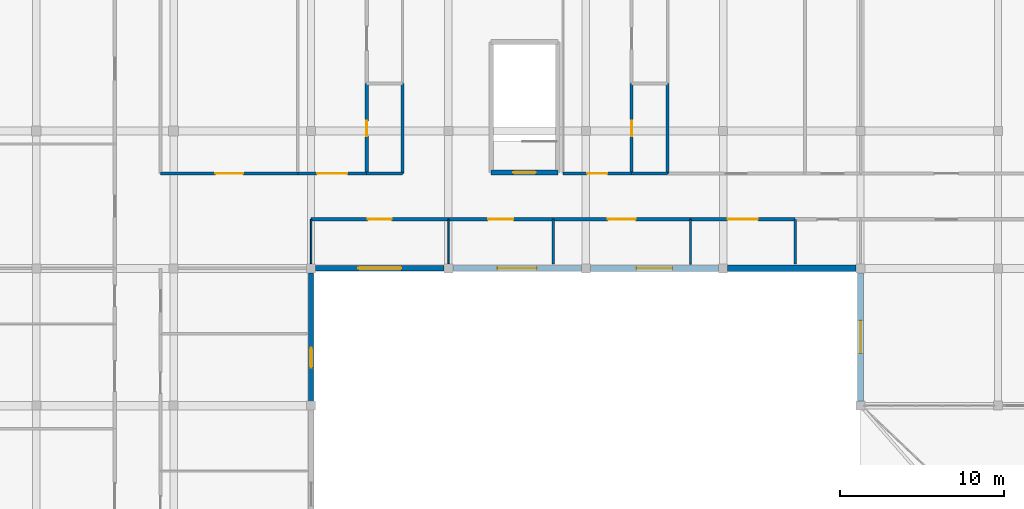
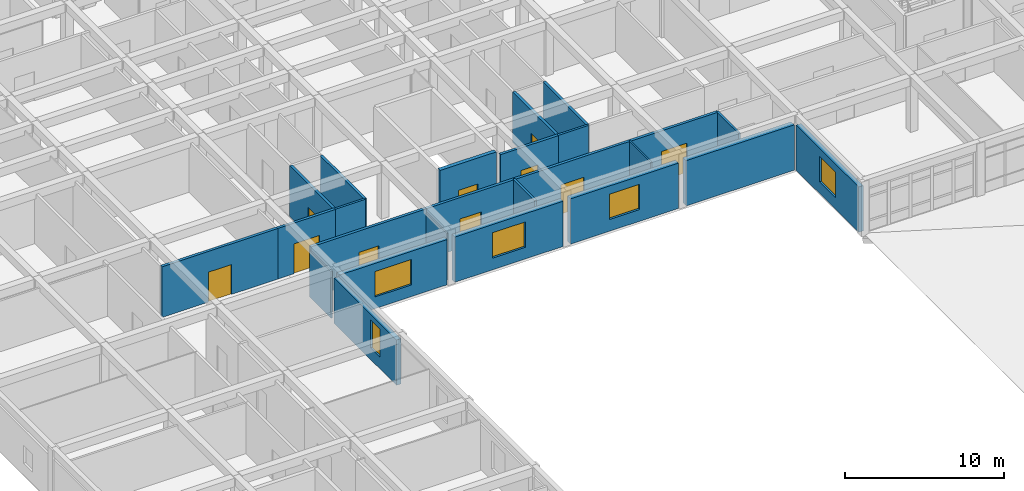
# One storey, part 46 of 77: 25 walls, 10 doors, 5 windows, 15 openings.
"""IFC4 building model written with IfcOpenShell, lengths in metres."""

from ifc_helpers import new_model, si_unit, direction, frame, frame_2d, origin, place, context, subcontext, project, spatial, rectangle, extrude, material, layer, layer_set, type_object, element, fill, save


model = new_model("IFC4")

# Units and contexts
model_context = context("Model", 3, precision=1e-05, world=origin(), true_north=direction((0.0, 1.0)))
body_context = subcontext(model_context, "Body", "Model", "MODEL_VIEW")
ifc_project = project(units=[si_unit("LENGTHUNIT", "METRE"), si_unit("AREAUNIT", "SQUARE_METRE"), si_unit("VOLUMEUNIT", "CUBIC_METRE"), si_unit("PLANEANGLEUNIT", "RADIAN"), si_unit("MASSUNIT", "GRAM", prefix="KILO")], contexts=[model_context])

# Site, building, storey
site_placement = place(None, origin())
site = spatial("IfcSite", under=ifc_project, at=site_placement, CompositionType="ELEMENT")
building_placement = place(site_placement, origin())
building = spatial("IfcBuilding", under=site, at=building_placement, Name="Varncliffe General Hospital", CompositionType="ELEMENT")
storey_placement = place(building_placement, frame((0.0, 0.0, 16.199951171875)))
storey = spatial("IfcBuildingStorey", under=building, at=storey_placement, Name="L03", CompositionType="ELEMENT", Elevation=16.199951171875)

# Wall, opening, window
ifc_material_1 = material(Name="Precast concrete C40/50 with insulated cream lime-cement stucco", Category="concrete")
ifc_layer_1 = layer(ifc_material_1, 0.31005859375)
ifc_layer_set_1 = layer_set([ifc_layer_1], Name="Precast concrete C40/50 with insulated cream lime-cement stucco")
wall_type_1 = type_object("IfcWallType", Name="Exterior Insulated Stucco Wall EW20 (310mm)", PredefinedType="SOLIDWALL", material=ifc_layer_set_1)
wall_1_placement = place(storey_placement, frame((25.199951171875, 82.527099609375, 0.0), z_axis=(0.0, 0.0, 1.0), x_axis=(0.0, -1.0, 0.0)))
wall_1 = element("IfcWall", 1, at=wall_1_placement, inside=storey, type_object=wall_type_1, Name="L03 Exterior Stucco Wall EW20-290", PredefinedType="SOLIDWALL", context=body_context, shape_type="SweptSolid", body=[
    extrude(rectangle(XDim=7.85400390625, YDim=0.31005859375, at=frame_2d((3.927001953125, 0.0))), origin(), (0.0, 0.0, 1.0), 3.47998046875),
])
opening_1_placement = place(wall_1_placement, frame((4.593017578125, 0.0, 0.89990234375)))
opening_1 = element("IfcOpeningElement", 2, at=opening_1_placement, cuts=wall_1, Name="Opening WN36", PredefinedType="OPENING", context=body_context, shape_type="SweptSolid", body=[
    extrude(rectangle(XDim=1.199951171875, YDim=2.14990234375, at=frame_2d((0.60009765625, 1.074951171875))), frame((0.0, 0.1650390625, 0.0), z_axis=(0.0, -1.0, 0.0), x_axis=(1.0, 0.0, 0.0)), (0.0, 0.0, 1.0), 0.330078125),
])
ifc_material_2 = material(Name="Triple low-E argon insulated vision glazing", Category="glass")
window_type_1 = type_object("IfcWindowType", Name="Triple-Glazed Hospital Window WN36 (1200x2150)", PartitioningType="SINGLE_PANEL", PredefinedType="WINDOW", material=ifc_material_2)
window_1_placement = place(opening_1_placement, origin())
window_1 = element("IfcWindow", 3, at=window_1_placement, inside=storey, type_object=window_type_1, Name="L03 Hospital Window WN36-209", OverallHeight=2.14990234375, OverallWidth=1.199951171875, PartitioningType="SINGLE_PANEL", PredefinedType="WINDOW", context=body_context, shape_type="SweptSolid", body=[
    extrude(rectangle(XDim=1.199951171875, YDim=2.14990234375, at=frame_2d((0.60009765625, 1.074951171875))), frame((0.0, 0.030029296875, 0.0), z_axis=(0.0, -1.0, 0.0), x_axis=(1.0, 0.0, 0.0)), (0.0, 0.0, 1.0), 0.06005859375),
])
fill(opening_1, window_1)

ifc_layer_2 = layer(ifc_material_1, 0.3798828125)
ifc_layer_set_2 = layer_set([ifc_layer_2], Name="Precast concrete C40/50 with insulated cream lime-cement stucco")
wall_type_2 = type_object("IfcWallType", Name="Exterior Insulated Stucco Wall EW26 (380mm)", PredefinedType="SOLIDWALL", material=ifc_layer_set_2)
wall_2_placement = place(storey_placement, frame((50.126953125, 82.800048828125, 0.0), z_axis=(0.0, 0.0, 1.0), x_axis=(-1.0, 0.0, 0.0)))
wall_2 = element("IfcWall", 4, at=wall_2_placement, inside=storey, type_object=wall_type_2, Name="L03 Exterior Stucco Wall EW26-287", PredefinedType="SOLIDWALL", context=body_context, shape_type="SweptSolid", body=[
    extrude(rectangle(XDim=7.85400390625, YDim=0.3798828125, at=frame_2d((3.927001953125, 0.0))), origin(), (0.0, 0.0, 1.0), 3.47998046875),
])
opening_2_placement = place(wall_2_placement, frame((2.826904296875, 0.0, 0.89990234375)))
opening_2 = element("IfcOpeningElement", 5, at=opening_2_placement, cuts=wall_2, Name="Opening WN35", PredefinedType="OPENING", context=body_context, shape_type="SweptSolid", body=[
    extrude(rectangle(XDim=2.199951171875, YDim=1.949951171875, at=frame_2d((1.10009765625, 0.97509765625))), frame((0.0, 0.199951171875, 0.0), z_axis=(0.0, -1.0, 0.0), x_axis=(1.0, 0.0, 0.0)), (0.0, 0.0, 1.0), 0.39990234375),
])
window_type_2 = type_object("IfcWindowType", Name="Triple-Glazed Hospital Window WN35 (2200x1950)", PartitioningType="DOUBLE_PANEL_VERTICAL", PredefinedType="WINDOW", material=ifc_material_2)
window_2_placement = place(opening_2_placement, origin())
window_2 = element("IfcWindow", 6, at=window_2_placement, inside=storey, type_object=window_type_2, Name="L03 Hospital Window WN35-206", OverallHeight=1.949951171875, OverallWidth=2.199951171875, PartitioningType="DOUBLE_PANEL_VERTICAL", PredefinedType="WINDOW", context=body_context, shape_type="SweptSolid", body=[
    extrude(rectangle(XDim=2.199951171875, YDim=1.949951171875, at=frame_2d((1.10009765625, 0.97509765625))), frame((0.0, 0.030029296875, 0.0), z_axis=(0.0, -1.0, 0.0), x_axis=(1.0, 0.0, 0.0)), (0.0, 0.0, 1.0), 0.06005859375),
])
fill(opening_2, window_2)

ifc_layer_3 = layer(ifc_material_1, 0.330078125)
ifc_layer_set_3 = layer_set([ifc_layer_3], Name="Precast concrete C40/50 with insulated cream lime-cement stucco")
wall_type_3 = type_object("IfcWallType", Name="Exterior Insulated Stucco Wall EW33 (330mm)", PredefinedType="SOLIDWALL", material=ifc_layer_set_3)
wall_3_placement = place(storey_placement, frame((33.326904296875, 82.800048828125, 0.0), z_axis=(0.0, 0.0, 1.0), x_axis=(-1.0, 0.0, 0.0)))
wall_3 = element("IfcWall", 7, at=wall_3_placement, inside=storey, type_object=wall_type_3, Name="L03 Exterior Stucco Wall EW33-289", PredefinedType="SOLIDWALL", context=body_context, shape_type="SweptSolid", body=[
    extrude(rectangle(XDim=7.85400390625, YDim=0.330078125, at=frame_2d((3.927001953125, 0.0))), origin(), (0.0, 0.0, 1.0), 3.47998046875),
])
opening_3_placement = place(wall_3_placement, frame((2.60205078125, 0.0, 0.89990234375)))
opening_3 = element("IfcOpeningElement", 8, at=opening_3_placement, cuts=wall_3, Name="Opening WN30", PredefinedType="OPENING", context=body_context, shape_type="SweptSolid", body=[
    extrude(rectangle(XDim=2.64990234375, YDim=1.949951171875, at=frame_2d((1.324951171875, 0.97509765625))), frame((0.0, 0.175048828125, 0.0), z_axis=(0.0, -1.0, 0.0), x_axis=(1.0, 0.0, 0.0)), (0.0, 0.0, 1.0), 0.35009765625),
])
window_type_3 = type_object("IfcWindowType", Name="Triple-Glazed Hospital Window WN30 (2650x1950)", PartitioningType="DOUBLE_PANEL_VERTICAL", PredefinedType="WINDOW", material=ifc_material_2)
window_3_placement = place(opening_3_placement, origin())
window_3 = element("IfcWindow", 9, at=window_3_placement, inside=storey, type_object=window_type_3, Name="L03 Hospital Window WN30-208", OverallHeight=1.949951171875, OverallWidth=2.64990234375, PartitioningType="DOUBLE_PANEL_VERTICAL", PredefinedType="WINDOW", context=body_context, shape_type="SweptSolid", body=[
    extrude(rectangle(XDim=2.64990234375, YDim=1.949951171875, at=frame_2d((1.324951171875, 0.97509765625))), frame((0.0, 0.030029296875, 0.0), z_axis=(0.0, -1.0, 0.0), x_axis=(1.0, 0.0, 0.0)), (0.0, 0.0, 1.0), 0.06005859375),
])
fill(opening_3, window_3)

ifc_layer_4 = layer(ifc_material_1, 0.35009765625)
ifc_layer_set_4 = layer_set([ifc_layer_4], Name="Precast concrete C40/50 with insulated cream lime-cement stucco")
wall_type_4 = type_object("IfcWallType", Name="Exterior Insulated Stucco Wall EW37 (350mm)", PredefinedType="SOLIDWALL", material=ifc_layer_set_4)
wall_4_placement = place(storey_placement, frame((58.800048828125, 74.673095703125, 0.0), z_axis=(0.0, 0.0, 1.0), x_axis=(0.0, 1.0, 0.0)))
wall_4 = element("IfcWall", 10, at=wall_4_placement, inside=storey, type_object=wall_type_4, Name="L03 Exterior Stucco Wall EW37-285", PredefinedType="SOLIDWALL", context=body_context, shape_type="SweptSolid", body=[
    extrude(rectangle(XDim=7.85400390625, YDim=0.35009765625, at=frame_2d((3.927001953125, 0.0))), origin(), (0.0, 0.0, 1.0), 3.47998046875),
])
opening_4_placement = place(wall_4_placement, frame((2.927001953125, 0.0, 0.89990234375)))
opening_4 = element("IfcOpeningElement", 11, at=opening_4_placement, cuts=wall_4, Name="Opening WN79", PredefinedType="OPENING", context=body_context, shape_type="SweptSolid", body=[
    extrude(rectangle(XDim=2.0, YDim=1.949951171875, at=frame_2d((1.0, 0.97509765625))), frame((0.0, 0.18505859375, 0.0), z_axis=(0.0, -1.0, 0.0), x_axis=(1.0, 0.0, 0.0)), (0.0, 0.0, 1.0), 0.3701171875),
])
window_type_4 = type_object("IfcWindowType", Name="Triple-Glazed Hospital Window WN79 (2000x1950)", PartitioningType="DOUBLE_PANEL_VERTICAL", PredefinedType="WINDOW", material=ifc_material_2)
window_4_placement = place(opening_4_placement, origin())
window_4 = element("IfcWindow", 12, at=window_4_placement, inside=storey, type_object=window_type_4, Name="L03 Hospital Window WN79-205", OverallHeight=1.949951171875, OverallWidth=2.0, PartitioningType="DOUBLE_PANEL_VERTICAL", PredefinedType="WINDOW", context=body_context, shape_type="SweptSolid", body=[
    extrude(rectangle(XDim=2.0, YDim=1.949951171875, at=frame_2d((1.0, 0.97509765625))), frame((0.0, 0.030029296875, 0.0), z_axis=(0.0, -1.0, 0.0), x_axis=(1.0, 0.0, 0.0)), (0.0, 0.0, 1.0), 0.06005859375),
])
fill(opening_4, window_4)

wall_5_placement = place(storey_placement, frame((41.72705078125, 82.800048828125, 0.0), z_axis=(0.0, 0.0, 1.0), x_axis=(-1.0, 0.0, 0.0)))
wall_5 = element("IfcWall", 13, at=wall_5_placement, inside=storey, type_object=wall_type_4, Name="L03 Exterior Stucco Wall EW37-288", PredefinedType="SOLIDWALL", context=body_context, shape_type="SweptSolid", body=[
    extrude(rectangle(XDim=7.85400390625, YDim=0.35009765625, at=frame_2d((3.927001953125, 0.0))), origin(), (0.0, 0.0, 1.0), 3.47998046875),
])
opening_5_placement = place(wall_5_placement, frame((2.72705078125, 0.0, 0.89990234375)))
opening_5 = element("IfcOpeningElement", 14, at=opening_5_placement, cuts=wall_5, Name="Opening WN16", PredefinedType="OPENING", context=body_context, shape_type="SweptSolid", body=[
    extrude(rectangle(XDim=2.39990234375, YDim=1.949951171875, at=frame_2d((1.199951171875, 0.97509765625))), frame((0.0, 0.18505859375, 0.0), z_axis=(0.0, -1.0, 0.0), x_axis=(1.0, 0.0, 0.0)), (0.0, 0.0, 1.0), 0.3701171875),
])
window_type_5 = type_object("IfcWindowType", Name="Triple-Glazed Hospital Window WN16 (2400x1950)", PartitioningType="DOUBLE_PANEL_VERTICAL", PredefinedType="WINDOW", material=ifc_material_2)
window_5_placement = place(opening_5_placement, origin())
window_5 = element("IfcWindow", 15, at=window_5_placement, inside=storey, type_object=window_type_5, Name="L03 Hospital Window WN16-207", OverallHeight=1.949951171875, OverallWidth=2.39990234375, PartitioningType="DOUBLE_PANEL_VERTICAL", PredefinedType="WINDOW", context=body_context, shape_type="SweptSolid", body=[
    extrude(rectangle(XDim=2.39990234375, YDim=1.949951171875, at=frame_2d((1.199951171875, 0.97509765625))), frame((0.0, 0.030029296875, 0.0), z_axis=(0.0, -1.0, 0.0), x_axis=(1.0, 0.0, 0.0)), (0.0, 0.0, 1.0), 0.06005859375),
])
fill(opening_5, window_5)

# Walls
ifc_layer_5 = layer(ifc_material_1, 0.39990234375)
ifc_layer_set_5 = layer_set([ifc_layer_5], Name="Precast concrete C40/50 with insulated cream lime-cement stucco")
wall_type_5 = type_object("IfcWallType", Name="Exterior Insulated Stucco Wall EW47 (400mm)", PredefinedType="SOLIDWALL", material=ifc_layer_set_5)
wall_6_placement = place(storey_placement, frame((58.527099609375, 82.800048828125, 0.0), z_axis=(0.0, 0.0, 1.0), x_axis=(-1.0, 0.0, 0.0)))
element("IfcWall", 16, at=wall_6_placement, inside=storey, type_object=wall_type_5, Name="L03 Exterior Stucco Wall EW47-286", PredefinedType="SOLIDWALL", context=body_context, shape_type="SweptSolid", body=[
    extrude(rectangle(XDim=7.85400390625, YDim=0.39990234375, at=frame_2d((3.927001953125, 0.0))), origin(), (0.0, 0.0, 1.0), 3.47998046875),
])
ifc_material_3 = material(Name="Acoustic clinical gypsum stud partition assembly", Category="gypsum")
ifc_layer_6 = layer(ifc_material_3, 0.14990234375)
ifc_layer_set_6 = layer_set([ifc_layer_6], Name="Acoustic clinical gypsum stud partition assembly")
wall_type_6 = type_object("IfcWallType", Name="Interior Partitioning IW35 (150mm)", PredefinedType="PARTITIONING", material=ifc_layer_set_6)
for number, where, z_axis, x_axis, name in (
    (17, (40.0, 83.06005859375, 0.0), (0.0, 0.0, 1.0), (0.0, 1.0, 0.0), "L03 Interior Partition Wall IW35-1549"),
    (18, (54.800048828125, 83.06005859375, 0.0), (0.0, 0.0, 1.0), (0.0, 1.0, 0.0), "L03 Interior Partition Wall IW35-1564"),
):
    element("IfcWall", number, at=place(storey_placement, frame(where, z_axis=z_axis, x_axis=x_axis)), inside=storey, type_object=wall_type_6, Name=name, PredefinedType="PARTITIONING", context=body_context, shape_type="SweptSolid", body=[
        extrude(rectangle(XDim=2.739990234375, YDim=0.14990234375, at=frame_2d((1.3701171875, 0.0))), origin(), (0.0, 0.0, 1.0), 3.89013671875),
    ])
ifc_layer_7 = layer(ifc_material_3, 0.090087890625)
ifc_layer_set_7 = layer_set([ifc_layer_7], Name="Acoustic clinical gypsum stud partition assembly")
wall_type_7 = type_object("IfcWallType", Name="Interior Partitioning IW42 (90mm)", PredefinedType="PARTITIONING", material=ifc_layer_set_7)
for number, where, z_axis, x_axis, name in (
    (19, (25.199951171875, 83.090087890625, 0.0), (0.0, 0.0, 1.0), (0.0, 1.0, 0.0), "L03 Interior Partition Wall IW42-1536"),
    (20, (33.60009765625, 83.090087890625, 0.0), (0.0, 0.0, 1.0), (0.0, 1.0, 0.0), "L03 Interior Partition Wall IW42-1546"),
):
    element("IfcWall", number, at=place(storey_placement, frame(where, z_axis=z_axis, x_axis=x_axis)), inside=storey, type_object=wall_type_7, Name=name, PredefinedType="PARTITIONING", context=body_context, shape_type="SweptSolid", body=[
        extrude(rectangle(XDim=2.7099609375, YDim=0.090087890625, at=frame_2d((1.35498046875, 0.0))), origin(), (0.0, 0.0, 1.0), 3.5849609375),
    ])
ifc_layer_8 = layer(ifc_material_3, 0.110107421875)
ifc_layer_set_8 = layer_set([ifc_layer_8], Name="Acoustic clinical gypsum stud partition assembly")
wall_type_8 = type_object("IfcWallType", Name="Interior Partitioning IW65 (110mm)", PredefinedType="PARTITIONING", material=ifc_layer_set_8)
wall_7_placement = place(storey_placement, frame((48.39990234375, 83.06005859375, 0.0), z_axis=(0.0, 0.0, 1.0), x_axis=(0.0, 1.0, 0.0)))
element("IfcWall", 21, at=wall_7_placement, inside=storey, type_object=wall_type_8, Name="L03 Interior Partition Wall IW65-1562", PredefinedType="PARTITIONING", context=body_context, shape_type="SweptSolid", body=[
    extrude(rectangle(XDim=2.739990234375, YDim=0.110107421875, at=frame_2d((1.3701171875, 0.0))), origin(), (0.0, 0.0, 1.0), 3.89013671875),
])

# Wall, opening, door
ifc_material_4 = material(Name="Fire-rated gypsum and mineral-wool partition assembly", Category="gypsum")
ifc_layer_9 = layer(ifc_material_4, 0.199951171875)
ifc_layer_set_9 = layer_set([ifc_layer_9], Name="Fire-rated gypsum and mineral-wool partition assembly")
wall_type_9 = type_object("IfcWallType", Name="Interior Partitioning PW63 (200mm)", PredefinedType="PARTITIONING", material=ifc_layer_set_9)
wall_8_placement = place(storey_placement, frame((25.199951171875, 85.800048828125, 0.0), z_axis=(0.0, 0.0, 1.0), x_axis=(1.0, 0.0, 0.0)))
wall_8 = element("IfcWall", 22, at=wall_8_placement, inside=storey, type_object=wall_type_9, Name="L03 Interior Partition Wall PW63-1363", PredefinedType="PARTITIONING", context=body_context, shape_type="SweptSolid", body=[
    extrude(rectangle(XDim=8.400146484375, YDim=0.199951171875, at=frame_2d((4.2001953125, 0.0))), origin(), (0.0, 0.0, 1.0), 3.89013671875),
])
opening_6_placement = place(wall_8_placement, frame((3.47509765625, 0.0, 0.0)))
opening_6 = element("IfcOpeningElement", 23, at=opening_6_placement, cuts=wall_8, Name="Opening DC66", PredefinedType="OPENING", context=body_context, shape_type="SweptSolid", body=[
    extrude(rectangle(XDim=1.449951171875, YDim=2.25, at=frame_2d((0.72509765625, 1.125))), frame((0.0, 0.10986328125, 0.0), z_axis=(0.0, -1.0, 0.0), x_axis=(1.0, 0.0, 0.0)), (0.0, 0.0, 1.0), 0.219970703125),
])
ifc_material_5 = material(Name="Fire-rated hospital steel-frame vision-panel door", Category="steel")
door_type_1 = type_object("IfcDoorType", Name="Interior Hospital Door DC66 (1450x2250)", OperationType="NOTDEFINED", PredefinedType="DOOR", material=ifc_material_5)
door_1_placement = place(opening_6_placement, frame((1.449951171875, 0.0, 0.0), z_axis=(0.0, 0.0, 1.0), x_axis=(-1.0, 0.0, 0.0)))
door_1 = element("IfcDoor", 24, at=door_1_placement, inside=storey, type_object=door_type_1, Name="L03 Interventional Cardiology Cath Suite 43 Door", OperationType="SINGLE_SWING_LEFT", OverallHeight=2.25, OverallWidth=1.449951171875, PredefinedType="DOOR", context=body_context, shape_type="SweptSolid", body=[
    extrude(rectangle(XDim=1.449951171875, YDim=2.25, at=frame_2d((0.72509765625, 1.125))), frame((0.0, 0.02490234375, 0.0), z_axis=(0.0, -1.0, 0.0), x_axis=(1.0, 0.0, 0.0)), (0.0, 0.0, 1.0), 0.050048828125),
])
fill(opening_6, door_1)

wall_9_placement = place(storey_placement, frame((33.60009765625, 85.800048828125, 0.0), z_axis=(0.0, 0.0, 1.0), x_axis=(1.0, 0.0, 0.0)))
wall_9 = element("IfcWall", 25, at=wall_9_placement, inside=storey, type_object=wall_type_9, Name="L03 Interior Partition Wall PW63-1364", PredefinedType="PARTITIONING", context=body_context, shape_type="SweptSolid", body=[
    extrude(rectangle(XDim=6.39990234375, YDim=0.199951171875, at=frame_2d((3.199951171875, 0.0))), origin(), (0.0, 0.0, 1.0), 3.89013671875),
])
opening_7_placement = place(wall_9_placement, frame((2.425048828125, 0.0, 0.0)))
opening_7 = element("IfcOpeningElement", 26, at=opening_7_placement, cuts=wall_9, Name="Opening DC67", PredefinedType="OPENING", context=body_context, shape_type="SweptSolid", body=[
    extrude(rectangle(XDim=1.550048828125, YDim=2.25, at=frame_2d((0.77490234375, 1.125))), frame((0.0, 0.10986328125, 0.0), z_axis=(0.0, -1.0, 0.0), x_axis=(1.0, 0.0, 0.0)), (0.0, 0.0, 1.0), 0.219970703125),
])
door_type_2 = type_object("IfcDoorType", Name="Interior Hospital Door DC67 (1550x2250)", OperationType="NOTDEFINED", PredefinedType="DOOR", material=ifc_material_5)
door_2_placement = place(opening_7_placement, frame((1.550048828125, 0.0, 0.0), z_axis=(0.0, 0.0, 1.0), x_axis=(-1.0, 0.0, 0.0)))
door_2 = element("IfcDoor", 27, at=door_2_placement, inside=storey, type_object=door_type_2, Name="L03 Step-Down Intensive Care Room 44 Door", OperationType="SINGLE_SWING_RIGHT", OverallHeight=2.25, OverallWidth=1.550048828125, PredefinedType="DOOR", context=body_context, shape_type="SweptSolid", body=[
    extrude(rectangle(XDim=1.550048828125, YDim=2.25, at=frame_2d((0.77490234375, 1.125))), frame((0.0, 0.02490234375, 0.0), z_axis=(0.0, -1.0, 0.0), x_axis=(1.0, 0.0, 0.0)), (0.0, 0.0, 1.0), 0.050048828125),
])
fill(opening_7, door_2)

wall_10_placement = place(storey_placement, frame((40.0, 85.800048828125, 0.0), z_axis=(0.0, 0.0, 1.0), x_axis=(1.0, 0.0, 0.0)))
wall_10 = element("IfcWall", 28, at=wall_10_placement, inside=storey, type_object=wall_type_9, Name="L03 Interior Partition Wall PW63-1365", PredefinedType="PARTITIONING", context=body_context, shape_type="SweptSolid", body=[
    extrude(rectangle(XDim=8.39990234375, YDim=0.199951171875, at=frame_2d((4.199951171875, 0.0))), origin(), (0.0, 0.0, 1.0), 3.89013671875),
])
opening_8_placement = place(wall_10_placement, frame((3.35009765625, 0.0, 0.0)))
opening_8 = element("IfcOpeningElement", 29, at=opening_8_placement, cuts=wall_10, Name="Opening DC50", PredefinedType="OPENING", context=body_context, shape_type="SweptSolid", body=[
    extrude(rectangle(XDim=1.699951171875, YDim=2.300048828125, at=frame_2d((0.85009765625, 1.14990234375))), frame((0.0, 0.10986328125, 0.0), z_axis=(0.0, -1.0, 0.0), x_axis=(1.0, 0.0, 0.0)), (0.0, 0.0, 1.0), 0.219970703125),
])
door_type_3 = type_object("IfcDoorType", Name="Interior Hospital Door DC50 (1700x2300)", OperationType="NOTDEFINED", PredefinedType="DOOR", material=ifc_material_5)
door_3_placement = place(opening_8_placement, frame((1.699951171875, 0.0, 0.0), z_axis=(0.0, 0.0, 1.0), x_axis=(-1.0, 0.0, 0.0)))
door_3 = element("IfcDoor", 30, at=door_3_placement, inside=storey, type_object=door_type_3, Name="L03 Interventional Cardiology Cath Suite 45 Door", OperationType="SINGLE_SWING_LEFT", OverallHeight=2.300048828125, OverallWidth=1.699951171875, PredefinedType="DOOR", context=body_context, shape_type="SweptSolid", body=[
    extrude(rectangle(XDim=1.699951171875, YDim=2.300048828125, at=frame_2d((0.85009765625, 1.14990234375))), frame((0.0, 0.02490234375, 0.0), z_axis=(0.0, -1.0, 0.0), x_axis=(1.0, 0.0, 0.0)), (0.0, 0.0, 1.0), 0.050048828125),
])
fill(opening_8, door_3)

wall_11_placement = place(storey_placement, frame((48.39990234375, 85.800048828125, 0.0), z_axis=(0.0, 0.0, 1.0), x_axis=(1.0, 0.0, 0.0)))
wall_11 = element("IfcWall", 31, at=wall_11_placement, inside=storey, type_object=wall_type_9, Name="L03 Interior Partition Wall PW63-1366", PredefinedType="PARTITIONING", context=body_context, shape_type="SweptSolid", body=[
    extrude(rectangle(XDim=6.400146484375, YDim=0.199951171875, at=frame_2d((3.2001953125, 0.0))), origin(), (0.0, 0.0, 1.0), 3.89013671875),
])
opening_9_placement = place(wall_11_placement, frame((2.27490234375, 0.0, 0.0)))
opening_9 = element("IfcOpeningElement", 32, at=opening_9_placement, cuts=wall_11, Name="Opening DC38", PredefinedType="OPENING", context=body_context, shape_type="SweptSolid", body=[
    extrude(rectangle(XDim=1.85009765625, YDim=2.300048828125, at=frame_2d((0.925048828125, 1.14990234375))), frame((0.0, 0.10986328125, 0.0), z_axis=(0.0, -1.0, 0.0), x_axis=(1.0, 0.0, 0.0)), (0.0, 0.0, 1.0), 0.219970703125),
])
door_type_4 = type_object("IfcDoorType", Name="Interior Hospital Door DC38 (1850x2300)", OperationType="NOTDEFINED", PredefinedType="DOOR", material=ifc_material_5)
door_4_placement = place(opening_9_placement, frame((1.85009765625, 0.0, 0.0), z_axis=(0.0, 0.0, 1.0), x_axis=(-1.0, 0.0, 0.0)))
door_4 = element("IfcDoor", 33, at=door_4_placement, inside=storey, type_object=door_type_4, Name="L03 Step-Down Intensive Care Room 46 Door", OperationType="SINGLE_SWING_RIGHT", OverallHeight=2.300048828125, OverallWidth=1.85009765625, PredefinedType="DOOR", context=body_context, shape_type="SweptSolid", body=[
    extrude(rectangle(XDim=1.85009765625, YDim=2.300048828125, at=frame_2d((0.925048828125, 1.14990234375))), frame((0.0, 0.02490234375, 0.0), z_axis=(0.0, -1.0, 0.0), x_axis=(1.0, 0.0, 0.0)), (0.0, 0.0, 1.0), 0.050048828125),
])
fill(opening_9, door_4)

wall_12_placement = place(storey_placement, frame((16.0, 88.60009765625, 0.0), z_axis=(0.0, 0.0, 1.0), x_axis=(1.0, 0.0, 0.0)))
wall_12 = element("IfcWall", 34, at=wall_12_placement, inside=storey, type_object=wall_type_9, Name="L03 Interior Partition Wall PW63-1379", PredefinedType="PARTITIONING", context=body_context, shape_type="SweptSolid", body=[
    extrude(rectangle(XDim=8.39990234375, YDim=0.199951171875, at=frame_2d((4.199951171875, 0.0))), origin(), (0.0, 0.0, 1.0), 3.89013671875),
])
opening_10_placement = place(wall_12_placement, frame((3.35009765625, 0.0, 0.0)))
opening_10 = element("IfcOpeningElement", 35, at=opening_10_placement, cuts=wall_12, Name="Opening DC50", PredefinedType="OPENING", context=body_context, shape_type="SweptSolid", body=[
    extrude(rectangle(XDim=1.699951171875, YDim=2.300048828125, at=frame_2d((0.85009765625, 1.14990234375))), frame((0.0, 0.10986328125, 0.0), z_axis=(0.0, -1.0, 0.0), x_axis=(1.0, 0.0, 0.0)), (0.0, 0.0, 1.0), 0.219970703125),
])
door_5_placement = place(opening_10_placement, origin())
door_5 = element("IfcDoor", 36, at=door_5_placement, inside=storey, type_object=door_type_3, Name="L03 Interventional Cardiology Cath Suite 48 Door", OperationType="SINGLE_SWING_LEFT", OverallHeight=2.300048828125, OverallWidth=1.699951171875, PredefinedType="DOOR", context=body_context, shape_type="SweptSolid", body=[
    extrude(rectangle(XDim=1.699951171875, YDim=2.300048828125, at=frame_2d((0.85009765625, 1.14990234375))), frame((0.0, 0.02490234375, 0.0), z_axis=(0.0, -1.0, 0.0), x_axis=(1.0, 0.0, 0.0)), (0.0, 0.0, 1.0), 0.050048828125),
])
fill(opening_10, door_5)

wall_13_placement = place(storey_placement, frame((24.39990234375, 88.60009765625, 0.0), z_axis=(0.0, 0.0, 1.0), x_axis=(1.0, 0.0, 0.0)))
wall_13 = element("IfcWall", 37, at=wall_13_placement, inside=storey, type_object=wall_type_9, Name="L03 Interior Partition Wall PW63-1380", PredefinedType="PARTITIONING", context=body_context, shape_type="SweptSolid", body=[
    extrude(rectangle(XDim=4.2001953125, YDim=0.199951171875, at=frame_2d((2.10009765625, 0.0))), origin(), (0.0, 0.0, 1.0), 3.89013671875),
])
opening_11_placement = place(wall_13_placement, frame((1.175048828125, 0.0, 0.0)))
opening_11 = element("IfcOpeningElement", 38, at=opening_11_placement, cuts=wall_13, Name="Opening DC38", PredefinedType="OPENING", context=body_context, shape_type="SweptSolid", body=[
    extrude(rectangle(XDim=1.85009765625, YDim=2.300048828125, at=frame_2d((0.925048828125, 1.14990234375))), frame((0.0, 0.10986328125, 0.0), z_axis=(0.0, -1.0, 0.0), x_axis=(1.0, 0.0, 0.0)), (0.0, 0.0, 1.0), 0.219970703125),
])
door_6_placement = place(opening_11_placement, origin())
door_6 = element("IfcDoor", 39, at=door_6_placement, inside=storey, type_object=door_type_4, Name="L03 Step-Down Intensive Care Room 49 Door", OperationType="SINGLE_SWING_RIGHT", OverallHeight=2.300048828125, OverallWidth=1.85009765625, PredefinedType="DOOR", context=body_context, shape_type="SweptSolid", body=[
    extrude(rectangle(XDim=1.85009765625, YDim=2.300048828125, at=frame_2d((0.925048828125, 1.14990234375))), frame((0.0, 0.02490234375, 0.0), z_axis=(0.0, -1.0, 0.0), x_axis=(1.0, 0.0, 0.0)), (0.0, 0.0, 1.0), 0.050048828125),
])
fill(opening_11, door_6)

wall_14_placement = place(storey_placement, frame((40.60009765625, 88.60009765625, 0.0), z_axis=(0.0, 0.0, 1.0), x_axis=(1.0, 0.0, 0.0)))
wall_14 = element("IfcWall", 40, at=wall_14_placement, inside=storey, type_object=wall_type_9, Name="L03 Interior Partition Wall PW63-1382", PredefinedType="PARTITIONING", context=body_context, shape_type="SweptSolid", body=[
    extrude(rectangle(XDim=4.199951171875, YDim=0.199951171875, at=frame_2d((2.10009765625, 0.0))), origin(), (0.0, 0.0, 1.0), 3.89013671875),
])
opening_12_placement = place(wall_14_placement, frame((1.47509765625, 0.0, 0.0)))
opening_12 = element("IfcOpeningElement", 41, at=opening_12_placement, cuts=wall_14, Name="Opening DC44", PredefinedType="OPENING", context=body_context, shape_type="SweptSolid", body=[
    extrude(rectangle(XDim=1.25, YDim=2.14990234375, at=frame_2d((0.625, 1.074951171875))), frame((0.0, 0.10986328125, 0.0), z_axis=(0.0, -1.0, 0.0), x_axis=(1.0, 0.0, 0.0)), (0.0, 0.0, 1.0), 0.219970703125),
])
door_type_5 = type_object("IfcDoorType", Name="Interior Hospital Door DC44 (1250x2150)", OperationType="NOTDEFINED", PredefinedType="DOOR", material=ifc_material_5)
door_7_placement = place(opening_12_placement, origin())
door_7 = element("IfcDoor", 42, at=door_7_placement, inside=storey, type_object=door_type_5, Name="L03 Step-Down Intensive Care Room 52 Door", OperationType="SINGLE_SWING_LEFT", OverallHeight=2.14990234375, OverallWidth=1.25, PredefinedType="DOOR", context=body_context, shape_type="SweptSolid", body=[
    extrude(rectangle(XDim=1.25, YDim=2.14990234375, at=frame_2d((0.625, 1.074951171875))), frame((0.0, 0.02490234375, 0.0), z_axis=(0.0, -1.0, 0.0), x_axis=(1.0, 0.0, 0.0)), (0.0, 0.0, 1.0), 0.050048828125),
])
fill(opening_12, door_7)

wall_15_placement = place(storey_placement, frame((28.60009765625, 88.60009765625, 0.0), z_axis=(0.0, 0.0, 1.0), x_axis=(0.0, 1.0, 0.0)))
wall_15 = element("IfcWall", 43, at=wall_15_placement, inside=storey, type_object=wall_type_9, Name="L03 Interior Partition Wall PW63-1537", PredefinedType="PARTITIONING", context=body_context, shape_type="SweptSolid", body=[
    extrude(rectangle(XDim=5.5, YDim=0.199951171875, at=frame_2d((2.75, 0.0))), origin(), (0.0, 0.0, 1.0), 3.89013671875),
])
opening_13_placement = place(wall_15_placement, frame((2.2900390625, 0.0, 0.0)))
opening_13 = element("IfcOpeningElement", 44, at=opening_13_placement, cuts=wall_15, Name="Opening DI70", PredefinedType="OPENING", context=body_context, shape_type="SweptSolid", body=[
    extrude(rectangle(XDim=0.919921875, YDim=2.10009765625, at=frame_2d((0.4599609375, 1.050048828125))), frame((0.0, 0.10986328125, 0.0), z_axis=(0.0, -1.0, 0.0), x_axis=(1.0, 0.0, 0.0)), (0.0, 0.0, 1.0), 0.219970703125),
])
ifc_material_6 = material(Name="Solid-core antimicrobial hospital oak veneer door", Category="wood")
door_type_6 = type_object("IfcDoorType", Name="Interior Hospital Door DI70 (920x2100)", OperationType="NOTDEFINED", PredefinedType="DOOR", material=ifc_material_6)
door_8_placement = place(opening_13_placement, frame((0.919921875, 0.0, 0.0), z_axis=(0.0, 0.0, 1.0), x_axis=(-1.0, 0.0, 0.0)))
door_8 = element("IfcDoor", 45, at=door_8_placement, inside=storey, type_object=door_type_6, Name="L03 En-Suite Bathroom 50 Door", OperationType="SINGLE_SWING_LEFT", OverallHeight=2.10009765625, OverallWidth=0.919921875, PredefinedType="DOOR", context=body_context, shape_type="SweptSolid", body=[
    extrude(rectangle(XDim=0.919921875, YDim=2.10009765625, at=frame_2d((0.4599609375, 1.050048828125))), frame((0.0, 0.02490234375, 0.0), z_axis=(0.0, -1.0, 0.0), x_axis=(1.0, 0.0, 0.0)), (0.0, 0.0, 1.0), 0.050048828125),
])
fill(opening_13, door_8)

wall_16_placement = place(storey_placement, frame((44.800048828125, 88.60009765625, 0.0), z_axis=(0.0, 0.0, 1.0), x_axis=(0.0, 1.0, 0.0)))
wall_16 = element("IfcWall", 46, at=wall_16_placement, inside=storey, type_object=wall_type_9, Name="L03 Interior Partition Wall PW63-1554", PredefinedType="PARTITIONING", context=body_context, shape_type="SweptSolid", body=[
    extrude(rectangle(XDim=5.5, YDim=0.199951171875, at=frame_2d((2.75, 0.0))), origin(), (0.0, 0.0, 1.0), 3.89013671875),
])
opening_14_placement = place(wall_16_placement, frame((2.2900390625, 0.0, 0.0)))
opening_14 = element("IfcOpeningElement", 47, at=opening_14_placement, cuts=wall_16, Name="Opening DI70", PredefinedType="OPENING", context=body_context, shape_type="SweptSolid", body=[
    extrude(rectangle(XDim=0.919921875, YDim=2.10009765625, at=frame_2d((0.4599609375, 1.050048828125))), frame((0.0, 0.10986328125, 0.0), z_axis=(0.0, -1.0, 0.0), x_axis=(1.0, 0.0, 0.0)), (0.0, 0.0, 1.0), 0.219970703125),
])
door_9_placement = place(opening_14_placement, frame((0.919921875, 0.0, 0.0), z_axis=(0.0, 0.0, 1.0), x_axis=(-1.0, 0.0, 0.0)))
door_9 = element("IfcDoor", 48, at=door_9_placement, inside=storey, type_object=door_type_6, Name="L03 En-Suite Bathroom 53 Door", OperationType="SINGLE_SWING_LEFT", OverallHeight=2.10009765625, OverallWidth=0.919921875, PredefinedType="DOOR", context=body_context, shape_type="SweptSolid", body=[
    extrude(rectangle(XDim=0.919921875, YDim=2.10009765625, at=frame_2d((0.4599609375, 1.050048828125))), frame((0.0, 0.02490234375, 0.0), z_axis=(0.0, -1.0, 0.0), x_axis=(1.0, 0.0, 0.0)), (0.0, 0.0, 1.0), 0.050048828125),
])
fill(opening_14, door_9)

# Walls
ifc_material_7 = material(Name="Moisture-resistant plumbing chase wall assembly", Category="gypsum")
ifc_layer_10 = layer(ifc_material_7, 0.18994140625)
ifc_layer_set_10 = layer_set([ifc_layer_10], Name="Moisture-resistant plumbing chase wall assembly")
wall_type_10 = type_object("IfcWallType", Name="Interior Plumbingwall MW17 (190mm)", PredefinedType="PLUMBINGWALL", material=ifc_layer_set_10)
for number, where, z_axis, x_axis, name in (
    (49, (30.800048828125, 88.60009765625, 0.0), (0.0, 0.0, 1.0), (0.0, 1.0, 0.0), "L03 Interior Plumbing Wall MW17-1542"),
    (50, (47.0, 88.60009765625, 0.0), (0.0, 0.0, 1.0), (0.0, 1.0, 0.0), "L03 Interior Plumbing Wall MW17-1558"),
):
    element("IfcWall", number, at=place(storey_placement, frame(where, z_axis=z_axis, x_axis=x_axis)), inside=storey, type_object=wall_type_10, Name=name, PredefinedType="PLUMBINGWALL", context=body_context, shape_type="SweptSolid", body=[
        extrude(rectangle(XDim=5.5, YDim=0.18994140625, at=frame_2d((2.75, 0.0))), origin(), (0.0, 0.0, 1.0), 3.89013671875),
    ])
ifc_layer_11 = layer(ifc_material_7, 0.159912109375)
ifc_layer_set_11 = layer_set([ifc_layer_11], Name="Moisture-resistant plumbing chase wall assembly")
wall_type_11 = type_object("IfcWallType", Name="Interior Plumbingwall MW31 (160mm)", PredefinedType="PLUMBINGWALL", material=ifc_layer_set_11)
for number, where, z_axis, x_axis, name in (
    (51, (28.60009765625, 88.60009765625, 0.0), (0.0, 0.0, 1.0), (1.0, 0.0, 0.0), "L03 Interior Plumbing Wall MW31-1381"),
    (52, (44.800048828125, 88.60009765625, 0.0), (0.0, 0.0, 1.0), (1.0, 0.0, 0.0), "L03 Interior Plumbing Wall MW31-1383"),
):
    element("IfcWall", number, at=place(storey_placement, frame(where, z_axis=z_axis, x_axis=x_axis)), inside=storey, type_object=wall_type_11, Name=name, PredefinedType="PLUMBINGWALL", context=body_context, shape_type="SweptSolid", body=[
        extrude(rectangle(XDim=2.199951171875, YDim=0.159912109375, at=frame_2d((1.10009765625, 0.0))), origin(), (0.0, 0.0, 1.0), 3.89013671875),
    ])

# Wall, opening, door
ifc_material_8 = material(Name="Concrete C40/50 (CSA A23.1 40 MPa)", Category="concrete")
ifc_layer_12 = layer(ifc_material_8, 0.280029296875)
ifc_layer_set_12 = layer_set([ifc_layer_12], Name="Concrete C40/50 (CSA A23.1 40 MPa)")
wall_type_12 = type_object("IfcWallType", Name="Reinforced Concrete Core Shear Wall CW13 (280mm)", PredefinedType="SHEAR", material=ifc_layer_set_12)
wall_17_placement = place(storey_placement, frame((36.2099609375, 88.659912109375, 0.0), z_axis=(0.0, 0.0, 1.0), x_axis=(1.0, 0.0, 0.0)))
wall_17 = element("IfcWall", 53, at=wall_17_placement, inside=storey, type_object=wall_type_12, Name="L03 ST13 Core Shear Wall N", PredefinedType="SHEAR", context=body_context, shape_type="SweptSolid", body=[
    extrude(rectangle(XDim=4.080078125, YDim=0.280029296875, at=frame_2d((2.0400390625, 0.0))), origin(), (0.0, 0.0, 1.0), 4.199951171875),
])
opening_15_placement = place(wall_17_placement, frame((1.340087890625, 0.0, 0.0)))
opening_15 = element("IfcOpeningElement", 54, at=opening_15_placement, cuts=wall_17, Name="Opening DF81", PredefinedType="OPENING", context=body_context, shape_type="SweptSolid", body=[
    extrude(rectangle(XDim=1.39990234375, YDim=2.199951171875, at=frame_2d((0.699951171875, 1.10009765625))), frame((0.0, 0.14990234375, 0.0), z_axis=(0.0, -1.0, 0.0), x_axis=(1.0, 0.0, 0.0)), (0.0, 0.0, 1.0), 0.300048828125),
])
door_type_7 = type_object("IfcDoorType", Name="Interior Hospital Door DF81 (1400x2200)", OperationType="NOTDEFINED", PredefinedType="DOOR", material=ifc_material_5)
door_10_placement = place(opening_15_placement, frame((1.39990234375, 0.0, 0.0), z_axis=(0.0, 0.0, 1.0), x_axis=(-1.0, 0.0, 0.0)))
door_10 = element("IfcDoor", 55, at=door_10_placement, inside=storey, type_object=door_type_7, Name="L03 ST13 Protected Exit Stair Door", OperationType="SINGLE_SWING_LEFT", OverallHeight=2.199951171875, OverallWidth=1.39990234375, PredefinedType="DOOR", context=body_context, shape_type="SweptSolid", body=[
    extrude(rectangle(XDim=1.39990234375, YDim=2.199951171875, at=frame_2d((0.699951171875, 1.10009765625))), frame((0.0, 0.02490234375, 0.0), z_axis=(0.0, -1.0, 0.0), x_axis=(1.0, 0.0, 0.0)), (0.0, 0.0, 1.0), 0.050048828125),
])
fill(opening_15, door_10)

save(model, "model.ifc")
